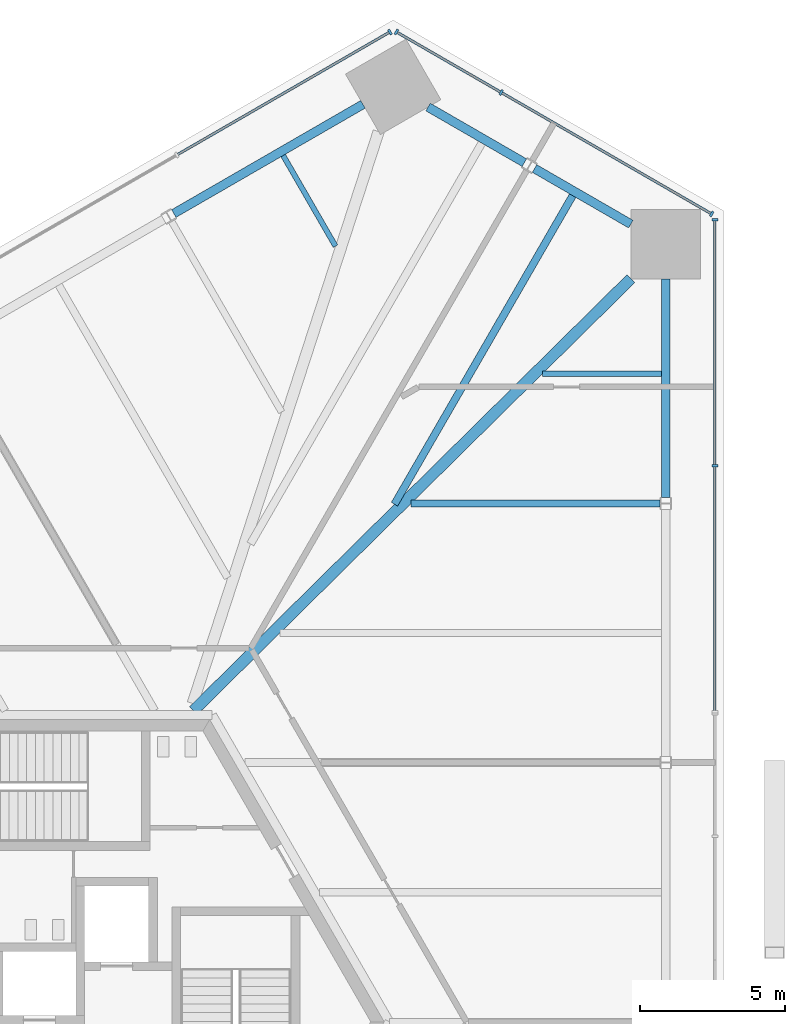
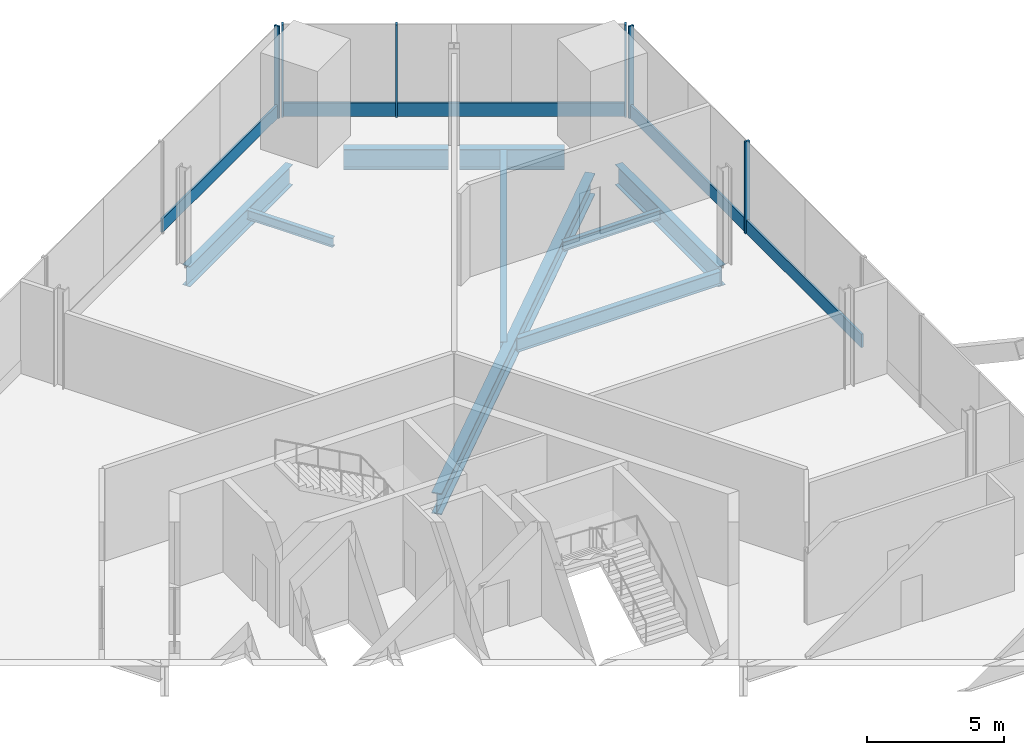
# One storey, part 7 of 15: 11 members, 9 beams, 3 elements without a shape of their own.
"""IFC4 building model written with IfcOpenShell, lengths in metres."""

from ifc_helpers import new_model, si_unit, direction, frame, origin, origin_2d, place, context, subcontext, project, spatial, rectangle, i_section, extrude, source, transform, mapped, material, material_profile, profile_set, type_object, element, aggregate, save


model = new_model("IFC4")

# Units and contexts
model_context = context("Model", 3, precision=1e-05, world=origin(), true_north=direction((0.0, 1.0)))
body_context = subcontext(model_context, "Body", "Model", "MODEL_VIEW")
ifc_project = project(units=[si_unit("LENGTHUNIT", "METRE"), si_unit("AREAUNIT", "SQUARE_METRE"), si_unit("VOLUMEUNIT", "CUBIC_METRE"), si_unit("PLANEANGLEUNIT", "RADIAN"), si_unit("MASSUNIT", "GRAM", prefix="KILO")], contexts=[model_context])

# Site, building, storey
site_placement = place(None, origin())
site = spatial("IfcSite", under=ifc_project, at=site_placement, CompositionType="ELEMENT")
building_placement = place(site_placement, origin())
building = spatial("IfcBuilding", under=site, at=building_placement, Name="Triune Harvest Tower", CompositionType="ELEMENT")
storey_placement = place(building_placement, frame((0.0, 0.0, 28.89990234375)))
storey = spatial("IfcBuildingStorey", under=building, at=storey_placement, Name="L06", CompositionType="ELEMENT", Elevation=28.89990234375)

# Beams
ifc_material_1 = material(Name="Steel ASTM A992 Gr 50", Category="steel")
ifc_material_profile_1 = material_profile(ifc_material_1, i_section(OverallWidth=0.383544921875, OverallDepth=0.9423828125, WebThickness=0.022216796875, FlangeThickness=0.039794921875, at=origin_2d()), Name="W36x232")
ifc_profile_set_1 = profile_set([ifc_material_profile_1], Name="Steel ASTM A992 Gr 50")
beam_type_1 = type_object("IfcBeamType", Name="HG-1 Hip girder W36x232", PredefinedType="BEAM", material=ifc_profile_set_1)
shared_shape_1 = source(origin(), body_context, "Body", "SweptSolid", [
    extrude(i_section(OverallWidth=0.383544921875, OverallDepth=0.9423828125, WebThickness=0.022216796875, FlangeThickness=0.039794921875, at=origin_2d()), origin(), (0.0, 0.0, 1.0), 21.132568359375),
])
beam_1_placement = place(storey_placement, frame((20.4794921875, 25.545166015625, -0.671142578125), z_axis=(-0.711563602244, -0.7026216905, 0.0), x_axis=(0.7026216905, -0.711563602244, 0.0)))
element("IfcBeam", 1, at=beam_1_placement, inside=storey, type_object=beam_type_1, Name="beam/L06/HG2", PredefinedType="BEAM", context=body_context, shape_type="MappedRepresentation", body=[
    mapped(shared_shape_1, transform((0.0, 0.0, 0.0), scale=1.0)),
])
ifc_material_2 = material(Name="Steel ASTM A992 Gr 50", Category="steel")
ifc_material_profile_2 = material_profile(ifc_material_2, i_section(OverallWidth=0.22900390625, OverallDepth=0.612060546875, WebThickness=0.011962890625, FlangeThickness=0.01953125, at=origin_2d()), Name="W24x84")
ifc_profile_set_2 = profile_set([ifc_material_profile_2], Name="Steel ASTM A992 Gr 50")
beam_type_2 = type_object("IfcBeamType", Name="JT-3 Floor joist W24x84", PredefinedType="JOIST", material=ifc_profile_set_2)
shared_shape_2 = source(origin(), body_context, "Body", "SweptSolid", [
    extrude(i_section(OverallWidth=0.22900390625, OverallDepth=0.612060546875, WebThickness=0.011962890625, FlangeThickness=0.01953125, at=origin_2d()), origin(), (0.0, 0.0, 1.0), 8.54736328125),
])
beam_2_placement = place(storey_placement, frame((21.476318359375, 17.820068359375, -0.506103515625), z_axis=(-1.0, 0.0, 0.0), x_axis=(0.0, -1.0, 0.0)))
element("IfcBeam", 2, at=beam_2_placement, inside=storey, type_object=beam_type_2, Name="beam/L06/JT10", PredefinedType="JOIST", context=body_context, shape_type="MappedRepresentation", body=[
    mapped(shared_shape_2, transform((0.0, 0.0, 0.0), scale=1.0)),
])
ifc_material_3 = material(Name="Steel ASTM A992 Gr 50", Category="steel")
ifc_material_profile_3 = material_profile(ifc_material_3, i_section(OverallWidth=0.3046875, OverallDepth=0.914306640625, WebThickness=0.0166015625, FlangeThickness=0.02587890625, at=origin_2d()), Name="W36x160")
ifc_profile_set_3 = profile_set([ifc_material_profile_3], Name="Steel ASTM A992 Gr 50")
beam_type_3 = type_object("IfcBeamType", Name="SB-1 Spandrel beam W36x160", PredefinedType="SPANDREL", material=ifc_profile_set_3)
shared_shape_3 = source(origin(), body_context, "Body", "SweptSolid", [
    extrude(i_section(OverallWidth=0.3046875, OverallDepth=0.914306640625, WebThickness=0.0166015625, FlangeThickness=0.02587890625, at=origin_2d()), origin(), (0.0, 0.0, 1.0), 7.508056640625),
])
beam_3_placement = place(storey_placement, frame((21.679443359375, 18.02197265625, -0.656982421875), z_axis=(0.0, 1.0, 0.0), x_axis=(-1.0, 0.0, 0.0)))
element("IfcBeam", 3, at=beam_3_placement, inside=storey, type_object=beam_type_3, Name="beam/L06/SB6", PredefinedType="SPANDREL", context=body_context, shape_type="MappedRepresentation", body=[
    mapped(shared_shape_3, transform((0.0, 0.0, 0.0), scale=1.0)),
])
shared_shape_4 = source(origin(), body_context, "Body", "SweptSolid", [
    extrude(i_section(OverallWidth=0.3046875, OverallDepth=0.914306640625, WebThickness=0.0166015625, FlangeThickness=0.02587890625, at=origin_2d()), origin(), (0.0, 0.0, 1.0), 3.822265625),
])
beam_4_placement = place(storey_placement, frame((20.4794921875, 27.4228515625, -0.656982421875), z_axis=(-0.866033487859, 0.499985997711, 0.0), x_axis=(-0.499985997711, -0.866033487859, 0.0)))
element("IfcBeam", 4, at=beam_4_placement, inside=storey, type_object=beam_type_3, Name="beam/L06/SB7", PredefinedType="SPANDREL", context=body_context, shape_type="MappedRepresentation", body=[
    mapped(shared_shape_4, transform((0.0, 0.0, 0.0), scale=1.0)),
])
shared_shape_5 = source(origin(), body_context, "Body", "SweptSolid", [
    extrude(i_section(OverallWidth=0.3046875, OverallDepth=0.914306640625, WebThickness=0.0166015625, FlangeThickness=0.02587890625, at=origin_2d()), origin(), (0.0, 0.0, 1.0), 3.822509765625),
])
beam_5_placement = place(storey_placement, frame((16.8193359375, 29.535888671875, -0.656982421875), z_axis=(-0.866005830769, 0.500033899925, 0.0), x_axis=(-0.500033899925, -0.866005830769, 0.0)))
element("IfcBeam", 5, at=beam_5_placement, inside=storey, type_object=beam_type_3, Name="beam/L06/SB8", PredefinedType="SPANDREL", context=body_context, shape_type="MappedRepresentation", body=[
    mapped(shared_shape_5, transform((0.0, 0.0, 0.0), scale=1.0)),
])
shared_shape_6 = source(origin(), body_context, "Body", "SweptSolid", [
    extrude(i_section(OverallWidth=0.3046875, OverallDepth=0.914306640625, WebThickness=0.0166015625, FlangeThickness=0.02587890625, at=origin_2d()), origin(), (0.0, 0.0, 1.0), 7.50830078125),
])
beam_6_placement = place(storey_placement, frame((11.27001953125, 31.5400390625, -0.656982421875), z_axis=(-0.866027474485, -0.499996413425, 0.0), x_axis=(0.499996413425, -0.866027474485, 0.0)))
element("IfcBeam", 6, at=beam_6_placement, inside=storey, type_object=beam_type_3, Name="beam/L06/SB9", PredefinedType="SPANDREL", context=body_context, shape_type="MappedRepresentation", body=[
    mapped(shared_shape_6, transform((0.0, 0.0, 0.0), scale=1.0)),
])
ifc_material_4 = material(Name="Steel ASTM A992 Gr 50", Category="steel")
ifc_material_profile_4 = material_profile(ifc_material_4, i_section(OverallWidth=0.180908203125, OverallDepth=0.41650390625, WebThickness=0.010986328125, FlangeThickness=0.01806640625, at=origin_2d()), Name="W16x57")
ifc_profile_set_4 = profile_set([ifc_material_profile_4], Name="Steel ASTM A992 Gr 50")
beam_type_4 = type_object("IfcBeamType", Name="JT-1 Floor joist W16x57", PredefinedType="JOIST", material=ifc_profile_set_4)
shared_shape_7 = source(origin(), body_context, "Body", "SweptSolid", [
    extrude(i_section(OverallWidth=0.180908203125, OverallDepth=0.41650390625, WebThickness=0.010986328125, FlangeThickness=0.01806640625, at=origin_2d()), origin(), (0.0, 0.0, 1.0), 3.599365234375),
])
beam_7_placement = place(storey_placement, frame((8.527099609375, 29.780517578125, -0.408203125), z_axis=(0.50001992892, -0.866013897511, 0.0), x_axis=(0.866013897511, 0.50001992892, 0.0)))
element("IfcBeam", 7, at=beam_7_placement, inside=storey, type_object=beam_type_4, Name="beam/L06/JT14", PredefinedType="JOIST", context=body_context, shape_type="MappedRepresentation", body=[
    mapped(shared_shape_7, transform((0.0, 0.0, 0.0), scale=1.0)),
])
shared_shape_8 = source(origin(), body_context, "Body", "SweptSolid", [
    extrude(i_section(OverallWidth=0.180908203125, OverallDepth=0.41650390625, WebThickness=0.010986328125, FlangeThickness=0.01806640625, at=origin_2d()), origin(), (0.0, 0.0, 1.0), 4.08642578125),
])
beam_8_placement = place(storey_placement, frame((21.527099609375, 22.27490234375, -0.408203125), z_axis=(-1.0, 0.0, 0.0), x_axis=(0.0, -1.0, 0.0)))
element("IfcBeam", 8, at=beam_8_placement, inside=storey, type_object=beam_type_4, Name="beam/L06/JT11", PredefinedType="JOIST", context=body_context, shape_type="MappedRepresentation", body=[
    mapped(shared_shape_8, transform((0.0, 0.0, 0.0), scale=1.0)),
])
ifc_material_5 = material(Name="Steel ASTM A992 Gr 50", Category="steel")
ifc_material_profile_5 = material_profile(ifc_material_5, i_section(OverallWidth=0.253662109375, OverallDepth=0.683349609375, WebThickness=0.012451171875, FlangeThickness=0.01904296875, at=origin_2d()), Name="W27x94")
ifc_profile_set_5 = profile_set([ifc_material_profile_5], Name="Steel ASTM A992 Gr 50")
beam_type_5 = type_object("IfcBeamType", Name="JT-4 Floor joist W27x94", PredefinedType="JOIST", material=ifc_profile_set_5)
shared_shape_9 = source(origin(), body_context, "Body", "SweptSolid", [
    extrude(i_section(OverallWidth=0.253662109375, OverallDepth=0.683349609375, WebThickness=0.012451171875, FlangeThickness=0.01904296875, at=origin_2d()), origin(), (0.0, 0.0, 1.0), 12.2509765625),
])
beam_9_placement = place(storey_placement, frame((18.479736328125, 28.4013671875, -0.54150390625), z_axis=(-0.500001335473, -0.866024632748, 0.0), x_axis=(0.866024632748, -0.500001335473, 0.0)))
element("IfcBeam", 9, at=beam_9_placement, inside=storey, type_object=beam_type_5, Name="beam/L06/JT12", PredefinedType="JOIST", context=body_context, shape_type="MappedRepresentation", body=[
    mapped(shared_shape_9, transform((0.0, 0.0, 0.0), scale=1.0)),
])

# Curtain wall, members
ifc_material_6 = material(Name="Aluminium bronze anodised", Category="aluminium")
curtain_wall_type = type_object("IfcCurtainWallType", Name="CW-3 Farm floor curtain wall", PredefinedType="NOTDEFINED", material=ifc_material_6)
curtain_wall_1_placement = place(storey_placement, origin())
curtain_wall_1 = element("IfcCurtainWall", 10, at=curtain_wall_1_placement, inside=storey, type_object=curtain_wall_type, Name="CW-3 B1-F1 L06 run 2001")
ifc_material_7 = material(Name="Aluminium bronze anodised", Category="aluminium")
ifc_material_profile_6 = material_profile(ifc_material_7, rectangle(XDim=0.199951171875, YDim=0.080078125, at=origin_2d()), Name="MU-3 mullion 80 x 200")
ifc_profile_set_6 = profile_set([ifc_material_profile_6], Name="Aluminium bronze anodised")
member_type_1 = type_object("IfcMemberType", Name="MU-3 mullion 80 x 200", PredefinedType="MULLION", material=ifc_profile_set_6)
shared_shape_10 = source(origin(), body_context, "Body", "SweptSolid", [
    extrude(rectangle(XDim=0.199951171875, YDim=0.080078125, at=origin_2d()), origin(), (0.0, 0.0, 1.0), 4.10009765625),
])
member_1_placement = place(storey_placement, frame((23.371337890625, 19.119384765625, 0.0), z_axis=(0.0, 0.0, 1.0), x_axis=(-1.0, 0.0, 0.0)))
member_1 = element("IfcMember", 11, at=member_1_placement, type_object=member_type_1, Name="CW-3 mullion B1-F1 2001.3", PredefinedType="MULLION", context=body_context, shape_type="MappedRepresentation", body=[
    mapped(shared_shape_10, transform((0.0, 0.0, 0.0), scale=1.0)),
])
member_2_placement = place(storey_placement, frame((23.371337890625, 27.576904296875, 0.0), z_axis=(0.0, 0.0, 1.0), x_axis=(-1.0, 0.0, 0.0)))
member_2 = element("IfcMember", 12, at=member_2_placement, type_object=member_type_1, Name="CW-3 mullion B1-F1 2001.5", PredefinedType="MULLION", context=body_context, shape_type="MappedRepresentation", body=[
    mapped(shared_shape_10, transform((0.0, 0.0, 0.0), scale=1.0)),
])

curtain_wall_2_placement = place(storey_placement, origin())
curtain_wall_2 = element("IfcCurtainWall", 13, at=curtain_wall_2_placement, inside=storey, type_object=curtain_wall_type, Name="CW-3 B1-F2 L06 run 1")
member_3_placement = place(storey_placement, frame((23.2587890625, 27.771728515625, 0.0), z_axis=(0.0, 0.0, 1.0), x_axis=(-0.499998715149, -0.866026145592, 0.0)))
member_3 = element("IfcMember", 14, at=member_3_placement, type_object=member_type_1, Name="CW-3 mullion B1-F2 1.1", PredefinedType="MULLION", context=body_context, shape_type="MappedRepresentation", body=[
    mapped(shared_shape_10, transform((0.0, 0.0, 0.0), scale=1.0)),
])
member_4_placement = place(storey_placement, frame((16.0224609375, 31.94970703125, 0.0), z_axis=(0.0, 0.0, 1.0), x_axis=(-0.499998715149, -0.866026145592, 0.0)))
member_4 = element("IfcMember", 15, at=member_4_placement, type_object=member_type_1, Name="CW-3 mullion B1-F2 1.3", PredefinedType="MULLION", context=body_context, shape_type="MappedRepresentation", body=[
    mapped(shared_shape_10, transform((0.0, 0.0, 0.0), scale=1.0)),
])
member_5_placement = place(storey_placement, frame((12.421630859375, 34.028564453125, 0.0), z_axis=(0.0, 0.0, 1.0), x_axis=(-0.499998715149, -0.866026145592, 0.0)))
member_5 = element("IfcMember", 16, at=member_5_placement, type_object=member_type_1, Name="CW-3 mullion B1-F2 1.4", PredefinedType="MULLION", context=body_context, shape_type="MappedRepresentation", body=[
    mapped(shared_shape_10, transform((0.0, 0.0, 0.0), scale=1.0)),
])

# Curtain wall, member
curtain_wall_3_placement = place(storey_placement, origin())
curtain_wall_3 = element("IfcCurtainWall", 17, at=curtain_wall_3_placement, inside=storey, type_object=curtain_wall_type, Name="CW-3 B1-F3 L06 run 1")
member_6_placement = place(storey_placement, frame((12.196533203125, 34.028564453125, 0.0), z_axis=(0.0, 0.0, 1.0), x_axis=(0.500001122288, -0.86602475583, 0.0)))
member_6 = element("IfcMember", 18, at=member_6_placement, type_object=member_type_1, Name="CW-3 mullion B1-F3 1.1", PredefinedType="MULLION", context=body_context, shape_type="MappedRepresentation", body=[
    mapped(shared_shape_10, transform((0.0, 0.0, 0.0), scale=1.0)),
])

# Member
ifc_material_8 = material(Name="Aluminium bronze anodised", Category="aluminium")
ifc_material_profile_7 = material_profile(ifc_material_8, rectangle(XDim=0.090087890625, YDim=0.60009765625, at=origin_2d()), Name="TR-3 transom 90 x 600")
ifc_profile_set_7 = profile_set([ifc_material_profile_7], Name="Aluminium bronze anodised")
member_type_2 = type_object("IfcMemberType", Name="TR-3 transom 90 x 600", PredefinedType="USERDEFINED", material=ifc_profile_set_7)
shared_shape_11 = source(origin(), body_context, "Body", "SweptSolid", [
    extrude(rectangle(XDim=0.090087890625, YDim=0.60009765625, at=origin_2d()), origin(), (0.0, 0.0, 1.0), 8.27587890625),
])
member_7_placement = place(storey_placement, frame((23.22412109375, 27.791748046875, 0.300048828125), z_axis=(-0.866021501281, 0.500006759273, 0.0), x_axis=(-0.500006759273, -0.866021501281, 0.0)))
member_7 = element("IfcMember", 19, at=member_7_placement, type_object=member_type_2, Name="CW-3 transom B1-F2 1.1", ObjectType="TRANSOM", PredefinedType="USERDEFINED", context=body_context, shape_type="MappedRepresentation", body=[
    mapped(shared_shape_11, transform((0.0, 0.0, 0.0), scale=1.0)),
])

shared_shape_12 = source(origin(), body_context, "Body", "SweptSolid", [
    extrude(rectangle(XDim=0.090087890625, YDim=0.60009765625, at=origin_2d()), origin(), (0.0, 0.0, 1.0), 4.077880859375),
])
member_8_placement = place(storey_placement, frame((15.98779296875, 31.9697265625, 0.300048828125), z_axis=(-0.866035038465, 0.499983311872, 0.0), x_axis=(-0.499983311872, -0.866035038465, 0.0)))
member_8 = element("IfcMember", 20, at=member_8_placement, type_object=member_type_2, Name="CW-3 transom B1-F2 1.2", ObjectType="TRANSOM", PredefinedType="USERDEFINED", context=body_context, shape_type="MappedRepresentation", body=[
    mapped(shared_shape_12, transform((0.0, 0.0, 0.0), scale=1.0)),
])

aggregate(curtain_wall_2, [member_3, member_4, member_5, member_7, member_8])

shared_shape_13 = source(origin(), body_context, "Body", "SweptSolid", [
    extrude(rectangle(XDim=0.090087890625, YDim=0.60009765625, at=origin_2d()), origin(), (0.0, 0.0, 1.0), 8.37744140625),
])
member_9_placement = place(storey_placement, frame((23.371337890625, 10.701904296875, 0.300048828125), z_axis=(0.0, 1.0, 0.0), x_axis=(-1.0, 0.0, 0.0)))
member_9 = element("IfcMember", 21, at=member_9_placement, type_object=member_type_2, Name="CW-3 transom B1-F1 2001.1", ObjectType="TRANSOM", PredefinedType="USERDEFINED", context=body_context, shape_type="MappedRepresentation", body=[
    mapped(shared_shape_13, transform((0.0, 0.0, 0.0), scale=1.0)),
])

member_10_placement = place(storey_placement, frame((12.161865234375, 34.008544921875, 0.300048828125), z_axis=(-0.866026892193, -0.499997421992, 0.0), x_axis=(0.499997421992, -0.866026892193, 0.0)))
member_10 = element("IfcMember", 22, at=member_10_placement, type_object=member_type_2, Name="CW-3 transom B1-F3 1.1", ObjectType="TRANSOM", PredefinedType="USERDEFINED", context=body_context, shape_type="MappedRepresentation", body=[
    mapped(shared_shape_13, transform((0.0, 0.0, 0.0), scale=1.0)),
])

aggregate(curtain_wall_3, [member_6, member_10])

shared_shape_14 = source(origin(), body_context, "Body", "SweptSolid", [
    extrude(rectangle(XDim=0.090087890625, YDim=0.60009765625, at=origin_2d()), origin(), (0.0, 0.0, 1.0), 8.377685546875),
])
member_11_placement = place(storey_placement, frame((23.371337890625, 19.1591796875, 0.300048828125), z_axis=(0.0, 1.0, 0.0), x_axis=(-1.0, 0.0, 0.0)))
member_11 = element("IfcMember", 23, at=member_11_placement, type_object=member_type_2, Name="CW-3 transom B1-F1 2001.2", ObjectType="TRANSOM", PredefinedType="USERDEFINED", context=body_context, shape_type="MappedRepresentation", body=[
    mapped(shared_shape_14, transform((0.0, 0.0, 0.0), scale=1.0)),
])

aggregate(curtain_wall_1, [member_1, member_2, member_9, member_11])

save(model, "model.ifc")
